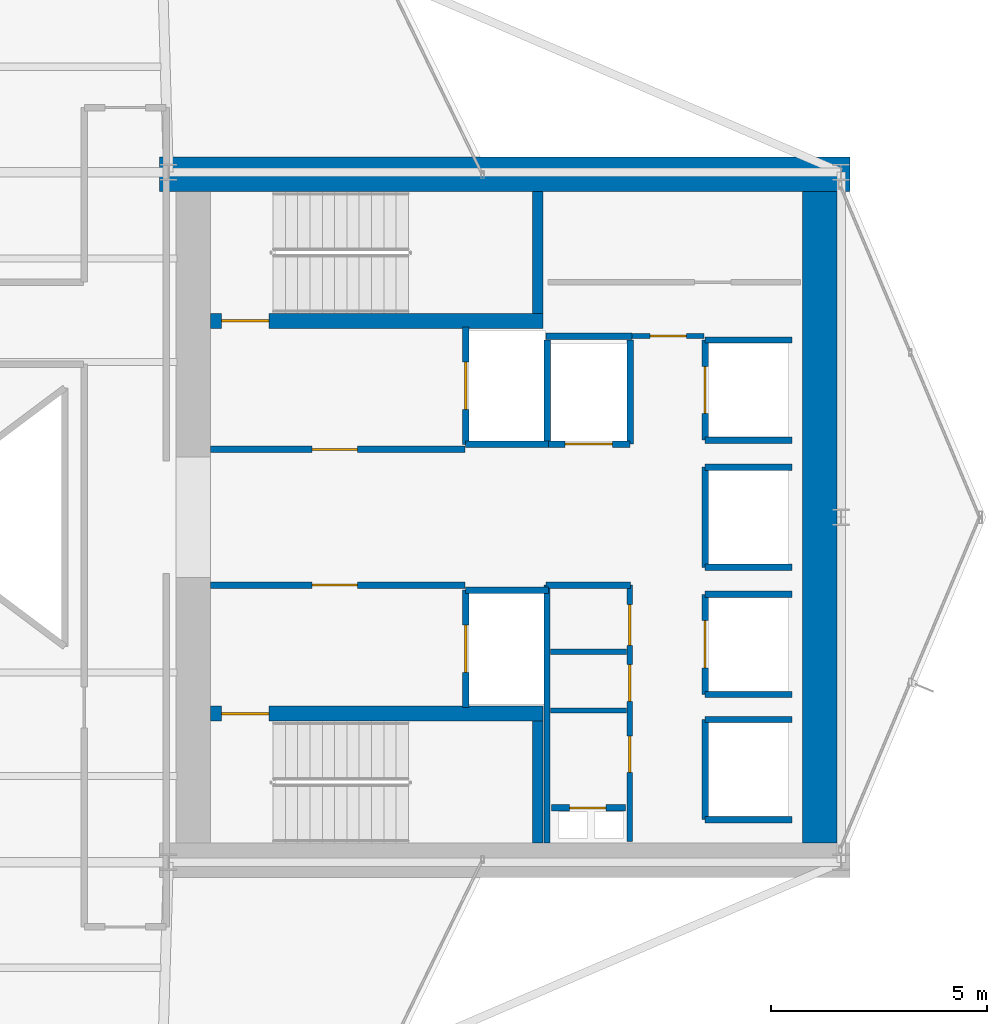
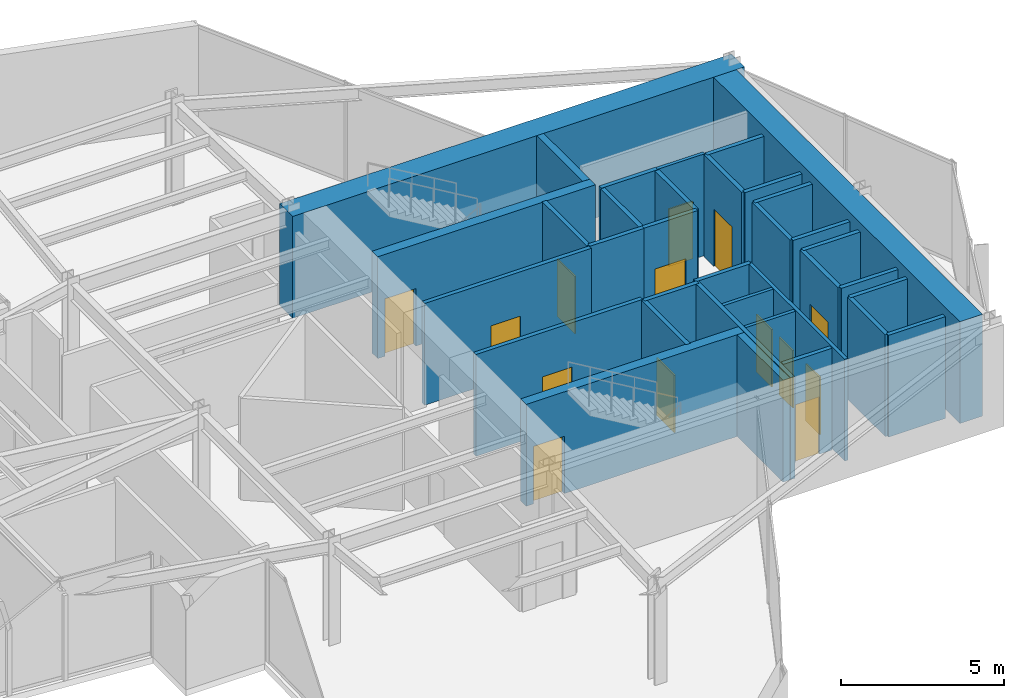
# One storey, part 23 of 25: 35 walls, 14 doors, 14 openings.
"""IFC4 building model written with IfcOpenShell, lengths in metres."""

from ifc_helpers import new_model, si_unit, direction, frame, frame_2d, origin, place, context, subcontext, project, spatial, rectangle, extrude, material, layer, layer_set, type_object, element, fill, save


model = new_model("IFC4")

# Units and contexts
model_context = context("Model", 3, precision=1e-05, world=origin(), true_north=direction((0.0, 1.0)))
body_context = subcontext(model_context, "Body", "Model", "MODEL_VIEW")
ifc_project = project(units=[si_unit("LENGTHUNIT", "METRE"), si_unit("AREAUNIT", "SQUARE_METRE"), si_unit("VOLUMEUNIT", "CUBIC_METRE"), si_unit("PLANEANGLEUNIT", "RADIAN"), si_unit("MASSUNIT", "GRAM", prefix="KILO")], contexts=[model_context])

# Site, building, storey
site_placement = place(None, origin())
site = spatial("IfcSite", under=ifc_project, at=site_placement, CompositionType="ELEMENT")
building_placement = place(site_placement, origin())
building = spatial("IfcBuilding", under=site, at=building_placement, Name="Veymaron Broadcast Tower", CompositionType="ELEMENT")
storey_placement = place(building_placement, frame((0.0, 0.0, 120.89990234375)))
storey = spatial("IfcBuildingStorey", under=building, at=storey_placement, Name="L27", CompositionType="ELEMENT", Elevation=120.89990234375)

# Wall, opening, door
ifc_material_1 = material(Name="Gypsum fireboard and steel stud framing", Category="steel")
ifc_layer_1 = layer(ifc_material_1, 0.14990234375)
ifc_layer_set_1 = layer_set([ifc_layer_1], Name="Gypsum fireboard and steel stud framing")
wall_type_1 = type_object("IfcWallType", Name="WALL-FIRE-150", PredefinedType="PARTITIONING", material=ifc_layer_set_1)
wall_1_placement = place(storey_placement, frame((39.97998046875, 25.574951171875, 0.0), z_axis=(0.0, 0.0, 1.0), x_axis=(1.0, 0.0, 0.0)))
wall_1 = element("IfcWall", 1, at=wall_1_placement, inside=storey, type_object=wall_type_1, Name="L27 partition IW-L27-FFLN-S", PredefinedType="PARTITIONING", context=body_context, shape_type="SweptSolid", body=[
    extrude(rectangle(XDim=5.89990234375, YDim=0.14990234375, at=frame_2d((2.949951171875, 0.0))), origin(), (0.0, 0.0, 1.0), 3.81005859375),
])
opening_1_placement = place(wall_1_placement, frame((2.35009765625, 0.0, 0.0)))
opening_1 = element("IfcOpeningElement", 2, at=opening_1_placement, cuts=wall_1, Name="Opening ID-FL1", PredefinedType="OPENING", context=body_context, shape_type="SweptSolid", body=[
    extrude(rectangle(XDim=1.050048828125, YDim=2.14990234375, at=frame_2d((0.52490234375, 1.074951171875))), frame((0.0, 0.0849609375, 0.0), z_axis=(0.0, -1.0, 0.0), x_axis=(1.0, 0.0, 0.0)), (0.0, 0.0, 1.0), 0.169921875),
])
ifc_material_2 = material(Name="Fire-rated painted hollow steel ASTM A653", Category="steel")
door_type_1 = type_object("IfcDoorType", Name="DOOR-FIRE-1050", OperationType="NOTDEFINED", PredefinedType="DOOR", material=ifc_material_2)
door_1_placement = place(opening_1_placement, origin())
door_1 = element("IfcDoor", 3, at=door_1_placement, inside=storey, type_object=door_type_1, Name="L27 door DR-L27-FFLN", OperationType="SINGLE_SWING_LEFT", OverallHeight=2.14990234375, OverallWidth=1.050048828125, PredefinedType="DOOR", context=body_context, shape_type="SweptSolid", body=[
    extrude(rectangle(XDim=1.050048828125, YDim=2.14990234375, at=frame_2d((0.52490234375, 1.074951171875))), frame((0.0, 0.02490234375, 0.0), z_axis=(0.0, -1.0, 0.0), x_axis=(1.0, 0.0, 0.0)), (0.0, 0.0, 1.0), 0.050048828125),
])
fill(opening_1, door_1)

wall_2_placement = place(storey_placement, frame((39.97998046875, 22.425048828125, 0.0), z_axis=(0.0, 0.0, 1.0), x_axis=(1.0, 0.0, 0.0)))
wall_2 = element("IfcWall", 4, at=wall_2_placement, inside=storey, type_object=wall_type_1, Name="L27 partition IW-L27-FFLS-N", PredefinedType="PARTITIONING", context=body_context, shape_type="SweptSolid", body=[
    extrude(rectangle(XDim=5.89990234375, YDim=0.14990234375, at=frame_2d((2.949951171875, 0.0))), origin(), (0.0, 0.0, 1.0), 3.81005859375),
])
opening_2_placement = place(wall_2_placement, frame((2.35009765625, 0.0, 0.0)))
opening_2 = element("IfcOpeningElement", 5, at=opening_2_placement, cuts=wall_2, Name="Opening ID-FL1", PredefinedType="OPENING", context=body_context, shape_type="SweptSolid", body=[
    extrude(rectangle(XDim=1.050048828125, YDim=2.14990234375, at=frame_2d((0.52490234375, 1.074951171875))), frame((0.0, 0.0849609375, 0.0), z_axis=(0.0, -1.0, 0.0), x_axis=(1.0, 0.0, 0.0)), (0.0, 0.0, 1.0), 0.169921875),
])
door_2_placement = place(opening_2_placement, frame((1.050048828125, 0.0, 0.0), z_axis=(0.0, 0.0, 1.0), x_axis=(-1.0, 0.0, 0.0)))
door_2 = element("IfcDoor", 6, at=door_2_placement, inside=storey, type_object=door_type_1, Name="L27 door DR-L27-FFLS", OperationType="SINGLE_SWING_RIGHT", OverallHeight=2.14990234375, OverallWidth=1.050048828125, PredefinedType="DOOR", context=body_context, shape_type="SweptSolid", body=[
    extrude(rectangle(XDim=1.050048828125, YDim=2.14990234375, at=frame_2d((0.52490234375, 1.074951171875))), frame((0.0, 0.02490234375, 0.0), z_axis=(0.0, -1.0, 0.0), x_axis=(1.0, 0.0, 0.0)), (0.0, 0.0, 1.0), 0.050048828125),
])
fill(opening_2, door_2)

wall_3_placement = place(storey_placement, frame((45.89501953125, 25.68994140625, 0.0), z_axis=(0.0, 0.0, 1.0), x_axis=(0.0, 1.0, 0.0)))
wall_3 = element("IfcWall", 7, at=wall_3_placement, inside=storey, type_object=wall_type_1, Name="L27 partition IW-L27-SHW-FFL-1", PredefinedType="PARTITIONING", context=body_context, shape_type="SweptSolid", body=[
    extrude(rectangle(XDim=2.719970703125, YDim=0.14990234375, at=frame_2d((1.35986328125, 0.0))), origin(), (0.0, 0.0, 1.0), 3.81005859375),
])
opening_3_placement = place(wall_3_placement, frame((0.81005859375, 0.0, 0.0)))
opening_3 = element("IfcOpeningElement", 8, at=opening_3_placement, cuts=wall_3, Name="Opening LD", PredefinedType="OPENING", context=body_context, shape_type="SweptSolid", body=[
    extrude(rectangle(XDim=1.10009765625, YDim=2.14990234375, at=frame_2d((0.550048828125, 1.074951171875))), frame((0.0, 0.0849609375, 0.0), z_axis=(0.0, -1.0, 0.0), x_axis=(1.0, 0.0, 0.0)), (0.0, 0.0, 1.0), 0.169921875),
])
ifc_material_3 = material(Name="Brushed stainless steel AISI 304", Category="steel")
door_type_2 = type_object("IfcDoorType", Name="DOOR-LIFT-1100", OperationType="DOUBLE_DOOR_SLIDING", PredefinedType="DOOR", material=ifc_material_3)
door_3_placement = place(opening_3_placement, frame((1.10009765625, 0.0, 0.0), z_axis=(0.0, 0.0, 1.0), x_axis=(-1.0, 0.0, 0.0)))
door_3 = element("IfcDoor", 9, at=door_3_placement, inside=storey, type_object=door_type_2, Name="L27 door LD-L27-FFL-1", OperationType="DOUBLE_DOOR_SLIDING", OverallHeight=2.14990234375, OverallWidth=1.10009765625, PredefinedType="DOOR", context=body_context, shape_type="SweptSolid", body=[
    extrude(rectangle(XDim=1.10009765625, YDim=2.14990234375, at=frame_2d((0.550048828125, 1.074951171875))), frame((0.0, 0.02490234375, 0.0), z_axis=(0.0, -1.0, 0.0), x_axis=(1.0, 0.0, 0.0)), (0.0, 0.0, 1.0), 0.050048828125),
])
fill(opening_3, door_3)

# Wall
wall_4_placement = place(storey_placement, frame((45.89501953125, 25.68994140625, 0.0), z_axis=(0.0, 0.0, 1.0), x_axis=(1.0, 0.0, 0.0)))
element("IfcWall", 10, at=wall_4_placement, inside=storey, type_object=wall_type_1, Name="L27 partition IW-L27-SHS-FFL-1", PredefinedType="PARTITIONING", context=body_context, shape_type="SweptSolid", body=[
    extrude(rectangle(XDim=1.9150390625, YDim=0.14990234375, at=frame_2d((0.95751953125, 0.0))), origin(), (0.0, 0.0, 1.0), 3.81005859375),
])

# Wall, opening, door
wall_5_placement = place(storey_placement, frame((45.89501953125, 19.590087890625, 0.0), z_axis=(0.0, 0.0, 1.0), x_axis=(0.0, 1.0, 0.0)))
wall_5 = element("IfcWall", 11, at=wall_5_placement, inside=storey, type_object=wall_type_1, Name="L27 partition IW-L27-SHW-FFL-2", PredefinedType="PARTITIONING", context=body_context, shape_type="SweptSolid", body=[
    extrude(rectangle(XDim=2.719970703125, YDim=0.14990234375, at=frame_2d((1.35986328125, 0.0))), origin(), (0.0, 0.0, 1.0), 3.81005859375),
])
opening_4_placement = place(wall_5_placement, frame((0.81005859375, 0.0, 0.0)))
opening_4 = element("IfcOpeningElement", 12, at=opening_4_placement, cuts=wall_5, Name="Opening LD", PredefinedType="OPENING", context=body_context, shape_type="SweptSolid", body=[
    extrude(rectangle(XDim=1.10009765625, YDim=2.14990234375, at=frame_2d((0.550048828125, 1.074951171875))), frame((0.0, 0.0849609375, 0.0), z_axis=(0.0, -1.0, 0.0), x_axis=(1.0, 0.0, 0.0)), (0.0, 0.0, 1.0), 0.169921875),
])
door_4_placement = place(opening_4_placement, frame((1.10009765625, 0.0, 0.0), z_axis=(0.0, 0.0, 1.0), x_axis=(-1.0, 0.0, 0.0)))
door_4 = element("IfcDoor", 13, at=door_4_placement, inside=storey, type_object=door_type_2, Name="L27 door LD-L27-FFL-2", OperationType="DOUBLE_DOOR_SLIDING", OverallHeight=2.14990234375, OverallWidth=1.10009765625, PredefinedType="DOOR", context=body_context, shape_type="SweptSolid", body=[
    extrude(rectangle(XDim=1.10009765625, YDim=2.14990234375, at=frame_2d((0.550048828125, 1.074951171875))), frame((0.0, 0.02490234375, 0.0), z_axis=(0.0, -1.0, 0.0), x_axis=(1.0, 0.0, 0.0)), (0.0, 0.0, 1.0), 0.050048828125),
])
fill(opening_4, door_4)

# Wall
wall_6_placement = place(storey_placement, frame((45.89501953125, 22.31005859375, 0.0), z_axis=(0.0, 0.0, 1.0), x_axis=(1.0, 0.0, 0.0)))
element("IfcWall", 14, at=wall_6_placement, inside=storey, type_object=wall_type_1, Name="L27 partition IW-L27-SHN-FFL-2", PredefinedType="PARTITIONING", context=body_context, shape_type="SweptSolid", body=[
    extrude(rectangle(XDim=1.9150390625, YDim=0.14990234375, at=frame_2d((0.95751953125, 0.0))), origin(), (0.0, 0.0, 1.0), 3.81005859375),
])

# Wall, opening, door
wall_7_placement = place(storey_placement, frame((47.7900390625, 25.695068359375, 0.0), z_axis=(0.0, 0.0, 1.0), x_axis=(1.0, 0.0, 0.0)))
wall_7 = element("IfcWall", 15, at=wall_7_placement, inside=storey, type_object=wall_type_1, Name="L27 partition IW-L27-SHS-SL-1", PredefinedType="PARTITIONING", context=body_context, shape_type="SweptSolid", body=[
    extrude(rectangle(XDim=1.919921875, YDim=0.14990234375, at=frame_2d((0.9599609375, 0.0))), origin(), (0.0, 0.0, 1.0), 3.81005859375),
])
opening_5_placement = place(wall_7_placement, frame((0.409912109375, 0.0, 0.0)))
opening_5 = element("IfcOpeningElement", 16, at=opening_5_placement, cuts=wall_7, Name="Opening LD", PredefinedType="OPENING", context=body_context, shape_type="SweptSolid", body=[
    extrude(rectangle(XDim=1.10009765625, YDim=2.14990234375, at=frame_2d((0.550048828125, 1.074951171875))), frame((0.0, 0.0849609375, 0.0), z_axis=(0.0, -1.0, 0.0), x_axis=(1.0, 0.0, 0.0)), (0.0, 0.0, 1.0), 0.169921875),
])
door_5_placement = place(opening_5_placement, frame((1.10009765625, 0.0, 0.0), z_axis=(0.0, 0.0, 1.0), x_axis=(-1.0, 0.0, 0.0)))
door_5 = element("IfcDoor", 17, at=door_5_placement, inside=storey, type_object=door_type_2, Name="L27 door LD-L27-SL-1", OperationType="DOUBLE_DOOR_SLIDING", OverallHeight=2.14990234375, OverallWidth=1.10009765625, PredefinedType="DOOR", context=body_context, shape_type="SweptSolid", body=[
    extrude(rectangle(XDim=1.10009765625, YDim=2.14990234375, at=frame_2d((0.550048828125, 1.074951171875))), frame((0.0, 0.02490234375, 0.0), z_axis=(0.0, -1.0, 0.0), x_axis=(1.0, 0.0, 0.0)), (0.0, 0.0, 1.0), 0.050048828125),
])
fill(opening_5, door_5)

# Walls
for number, where, z_axis, x_axis, name in (
    (18, (47.7900390625, 25.695068359375, 0.0), (0.0, 0.0, 1.0), (0.0, 1.0, 0.0), "L27 partition IW-L27-SHW-SL-1"),
    (19, (49.7099609375, 25.695068359375, 0.0), (0.0, 0.0, 1.0), (0.0, 1.0, 0.0), "L27 partition IW-L27-SHE-SL-1"),
):
    element("IfcWall", number, at=place(storey_placement, frame(where, z_axis=z_axis, x_axis=x_axis)), inside=storey, type_object=wall_type_1, Name=name, PredefinedType="PARTITIONING", context=body_context, shape_type="SweptSolid", body=[
        extrude(rectangle(XDim=2.4150390625, YDim=0.14990234375, at=frame_2d((1.20751953125, 0.0))), origin(), (0.0, 0.0, 1.0), 3.81005859375),
    ])

# Wall, opening, door
wall_8_placement = place(storey_placement, frame((51.445068359375, 25.7900390625, 0.0), z_axis=(0.0, 0.0, 1.0), x_axis=(0.0, 1.0, 0.0)))
wall_8 = element("IfcWall", 20, at=wall_8_placement, inside=storey, type_object=wall_type_1, Name="L27 partition IW-L27-SHW-PM1", PredefinedType="PARTITIONING", context=body_context, shape_type="SweptSolid", body=[
    extrude(rectangle(XDim=2.320068359375, YDim=0.14990234375, at=frame_2d((1.16015625, 0.0))), origin(), (0.0, 0.0, 1.0), 3.81005859375),
])
opening_6_placement = place(wall_8_placement, frame((0.610107421875, 0.0, 0.0)))
opening_6 = element("IfcOpeningElement", 21, at=opening_6_placement, cuts=wall_8, Name="Opening LD", PredefinedType="OPENING", context=body_context, shape_type="SweptSolid", body=[
    extrude(rectangle(XDim=1.10009765625, YDim=2.14990234375, at=frame_2d((0.550048828125, 1.074951171875))), frame((0.0, 0.0849609375, 0.0), z_axis=(0.0, -1.0, 0.0), x_axis=(1.0, 0.0, 0.0)), (0.0, 0.0, 1.0), 0.169921875),
])
door_6_placement = place(opening_6_placement, frame((1.10009765625, 0.0, 0.0), z_axis=(0.0, 0.0, 1.0), x_axis=(-1.0, 0.0, 0.0)))
door_6 = element("IfcDoor", 22, at=door_6_placement, inside=storey, type_object=door_type_2, Name="L27 door LD-L27-PM1", OperationType="DOUBLE_DOOR_SLIDING", OverallHeight=2.14990234375, OverallWidth=1.10009765625, PredefinedType="DOOR", context=body_context, shape_type="SweptSolid", body=[
    extrude(rectangle(XDim=1.10009765625, YDim=2.14990234375, at=frame_2d((0.550048828125, 1.074951171875))), frame((0.0, 0.02490234375, 0.0), z_axis=(0.0, -1.0, 0.0), x_axis=(1.0, 0.0, 0.0)), (0.0, 0.0, 1.0), 0.050048828125),
])
fill(opening_6, door_6)

# Walls
for number, where, z_axis, x_axis, name in (
    (23, (51.445068359375, 25.7900390625, 0.0), (0.0, 0.0, 1.0), (1.0, 0.0, 0.0), "L27 partition IW-L27-SHS-PM1"),
    (24, (51.445068359375, 28.110107421875, 0.0), (0.0, 0.0, 1.0), (1.0, 0.0, 0.0), "L27 partition IW-L27-SHN-PM1"),
):
    element("IfcWall", number, at=place(storey_placement, frame(where, z_axis=z_axis, x_axis=x_axis)), inside=storey, type_object=wall_type_1, Name=name, PredefinedType="PARTITIONING", context=body_context, shape_type="SweptSolid", body=[
        extrude(rectangle(XDim=2.014892578125, YDim=0.14990234375, at=frame_2d((1.00732421875, 0.0))), origin(), (0.0, 0.0, 1.0), 3.81005859375),
    ])

# Wall, opening, door
wall_9_placement = place(storey_placement, frame((51.445068359375, 19.889892578125, 0.0), z_axis=(0.0, 0.0, 1.0), x_axis=(0.0, 1.0, 0.0)))
wall_9 = element("IfcWall", 25, at=wall_9_placement, inside=storey, type_object=wall_type_1, Name="L27 partition IW-L27-SHW-PM2", PredefinedType="PARTITIONING", context=body_context, shape_type="SweptSolid", body=[
    extrude(rectangle(XDim=2.320068359375, YDim=0.14990234375, at=frame_2d((1.16015625, 0.0))), origin(), (0.0, 0.0, 1.0), 3.81005859375),
])
opening_7_placement = place(wall_9_placement, frame((0.610107421875, 0.0, 0.0)))
opening_7 = element("IfcOpeningElement", 26, at=opening_7_placement, cuts=wall_9, Name="Opening LD", PredefinedType="OPENING", context=body_context, shape_type="SweptSolid", body=[
    extrude(rectangle(XDim=1.10009765625, YDim=2.14990234375, at=frame_2d((0.550048828125, 1.074951171875))), frame((0.0, 0.0849609375, 0.0), z_axis=(0.0, -1.0, 0.0), x_axis=(1.0, 0.0, 0.0)), (0.0, 0.0, 1.0), 0.169921875),
])
door_7_placement = place(opening_7_placement, frame((1.10009765625, 0.0, 0.0), z_axis=(0.0, 0.0, 1.0), x_axis=(-1.0, 0.0, 0.0)))
door_7 = element("IfcDoor", 27, at=door_7_placement, inside=storey, type_object=door_type_2, Name="L27 door LD-L27-PM2", OperationType="DOUBLE_DOOR_SLIDING", OverallHeight=2.14990234375, OverallWidth=1.10009765625, PredefinedType="DOOR", context=body_context, shape_type="SweptSolid", body=[
    extrude(rectangle(XDim=1.10009765625, YDim=2.14990234375, at=frame_2d((0.550048828125, 1.074951171875))), frame((0.0, 0.02490234375, 0.0), z_axis=(0.0, -1.0, 0.0), x_axis=(1.0, 0.0, 0.0)), (0.0, 0.0, 1.0), 0.050048828125),
])
fill(opening_7, door_7)

# Walls
for number, where, z_axis, x_axis, name in (
    (28, (51.445068359375, 19.889892578125, 0.0), (0.0, 0.0, 1.0), (1.0, 0.0, 0.0), "L27 partition IW-L27-SHS-PM2"),
    (29, (51.445068359375, 22.2099609375, 0.0), (0.0, 0.0, 1.0), (1.0, 0.0, 0.0), "L27 partition IW-L27-SHN-PM2"),
):
    element("IfcWall", number, at=place(storey_placement, frame(where, z_axis=z_axis, x_axis=x_axis)), inside=storey, type_object=wall_type_1, Name=name, PredefinedType="PARTITIONING", context=body_context, shape_type="SweptSolid", body=[
        extrude(rectangle(XDim=2.014892578125, YDim=0.14990234375, at=frame_2d((1.00732421875, 0.0))), origin(), (0.0, 0.0, 1.0), 3.81005859375),
    ])
wall_10_placement = place(storey_placement, frame((51.445068359375, 22.840087890625, 0.0), z_axis=(0.0, 0.0, 1.0), x_axis=(0.0, 1.0, 0.0)))
element("IfcWall", 30, at=wall_10_placement, inside=storey, type_object=wall_type_1, Name="L27 partition IW-L27-SHW-PM3", PredefinedType="PARTITIONING", context=body_context, shape_type="SweptSolid", body=[
    extrude(rectangle(XDim=2.31982421875, YDim=0.14990234375, at=frame_2d((1.159912109375, 0.0))), origin(), (0.0, 0.0, 1.0), 3.81005859375),
])
for number, where, z_axis, x_axis, name in (
    (31, (51.445068359375, 22.840087890625, 0.0), (0.0, 0.0, 1.0), (1.0, 0.0, 0.0), "L27 partition IW-L27-SHS-PM3"),
    (32, (51.445068359375, 25.159912109375, 0.0), (0.0, 0.0, 1.0), (1.0, 0.0, 0.0), "L27 partition IW-L27-SHN-PM3"),
):
    element("IfcWall", number, at=place(storey_placement, frame(where, z_axis=z_axis, x_axis=x_axis)), inside=storey, type_object=wall_type_1, Name=name, PredefinedType="PARTITIONING", context=body_context, shape_type="SweptSolid", body=[
        extrude(rectangle(XDim=2.014892578125, YDim=0.14990234375, at=frame_2d((1.00732421875, 0.0))), origin(), (0.0, 0.0, 1.0), 3.81005859375),
    ])
wall_11_placement = place(storey_placement, frame((51.445068359375, 16.989990234375, 0.0), z_axis=(0.0, 0.0, 1.0), x_axis=(0.0, 1.0, 0.0)))
element("IfcWall", 33, at=wall_11_placement, inside=storey, type_object=wall_type_1, Name="L27 partition IW-L27-SHW-PH1", PredefinedType="PARTITIONING", context=body_context, shape_type="SweptSolid", body=[
    extrude(rectangle(XDim=2.320068359375, YDim=0.14990234375, at=frame_2d((1.16015625, 0.0))), origin(), (0.0, 0.0, 1.0), 3.81005859375),
])
for number, where, z_axis, x_axis, name in (
    (34, (51.445068359375, 16.989990234375, 0.0), (0.0, 0.0, 1.0), (1.0, 0.0, 0.0), "L27 partition IW-L27-SHS-PH1"),
    (35, (51.445068359375, 19.31005859375, 0.0), (0.0, 0.0, 1.0), (1.0, 0.0, 0.0), "L27 partition IW-L27-SHN-PH1"),
):
    element("IfcWall", number, at=place(storey_placement, frame(where, z_axis=z_axis, x_axis=x_axis)), inside=storey, type_object=wall_type_1, Name=name, PredefinedType="PARTITIONING", context=body_context, shape_type="SweptSolid", body=[
        extrude(rectangle(XDim=2.014892578125, YDim=0.14990234375, at=frame_2d((1.00732421875, 0.0))), origin(), (0.0, 0.0, 1.0), 3.81005859375),
    ])

# Wall, opening, door
wall_12_placement = place(storey_placement, frame((47.8798828125, 17.260009765625, 0.0), z_axis=(0.0, 0.0, 1.0), x_axis=(1.0, 0.0, 0.0)))
wall_12 = element("IfcWall", 36, at=wall_12_placement, inside=storey, type_object=wall_type_1, Name="L27 partition IW-L27-RIS-N", PredefinedType="PARTITIONING", context=body_context, shape_type="SweptSolid", body=[
    extrude(rectangle(XDim=1.72021484375, YDim=0.14990234375, at=frame_2d((0.860107421875, 0.0))), origin(), (0.0, 0.0, 1.0), 3.81005859375),
])
opening_8_placement = place(wall_12_placement, frame((0.419921875, 0.0, 0.0)))
opening_8 = element("IfcOpeningElement", 37, at=opening_8_placement, cuts=wall_12, Name="Opening ID-RS1", PredefinedType="OPENING", context=body_context, shape_type="SweptSolid", body=[
    extrude(rectangle(XDim=0.85009765625, YDim=2.14990234375, at=frame_2d((0.425048828125, 1.074951171875))), frame((0.0, 0.0849609375, 0.0), z_axis=(0.0, -1.0, 0.0), x_axis=(1.0, 0.0, 0.0)), (0.0, 0.0, 1.0), 0.169921875),
])
ifc_material_4 = material(Name="Fire-rated powder-coated steel riser leaf", Category="steel")
door_type_3 = type_object("IfcDoorType", Name="DOOR-RIS-850", OperationType="NOTDEFINED", PredefinedType="TRAPDOOR", material=ifc_material_4)
door_8_placement = place(opening_8_placement, origin())
door_8 = element("IfcDoor", 38, at=door_8_placement, inside=storey, type_object=door_type_3, Name="L27 door DR-L27-RIS", OperationType="SINGLE_SWING_LEFT", OverallHeight=2.14990234375, OverallWidth=0.85009765625, PredefinedType="TRAPDOOR", context=body_context, shape_type="SweptSolid", body=[
    extrude(rectangle(XDim=0.85009765625, YDim=2.14990234375, at=frame_2d((0.425048828125, 1.074951171875))), frame((0.0, 0.02490234375, 0.0), z_axis=(0.0, -1.0, 0.0), x_axis=(1.0, 0.0, 0.0)), (0.0, 0.0, 1.0), 0.050048828125),
])
fill(opening_8, door_8)

# Walls
wall_13_placement = place(storey_placement, frame((47.760009765625, 22.425048828125, 0.0), z_axis=(0.0, 0.0, 1.0), x_axis=(1.0, 0.0, 0.0)))
element("IfcWall", 39, at=wall_13_placement, inside=storey, type_object=wall_type_1, Name="L27 partition IW-L27-SM-N", PredefinedType="PARTITIONING", context=body_context, shape_type="SweptSolid", body=[
    extrude(rectangle(XDim=1.9599609375, YDim=0.14990234375, at=frame_2d((0.97998046875, 0.0))), origin(), (0.0, 0.0, 1.0), 3.81005859375),
])
wall_14_placement = place(storey_placement, frame((47.780029296875, 16.449951171875, 0.0), z_axis=(0.0, 0.0, 1.0), x_axis=(0.0, 1.0, 0.0)))
element("IfcWall", 40, at=wall_14_placement, inside=storey, type_object=wall_type_1, Name="L27 partition IW-L27-SM-W", PredefinedType="PARTITIONING", context=body_context, shape_type="SweptSolid", body=[
    extrude(rectangle(XDim=5.97509765625, YDim=0.14990234375, at=frame_2d((2.987548828125, 0.0))), origin(), (0.0, 0.0, 1.0), 3.81005859375),
])
wall_15_placement = place(storey_placement, frame((47.760009765625, 28.199951171875, 0.0), z_axis=(0.0, 0.0, 1.0), x_axis=(1.0, 0.0, 0.0)))
element("IfcWall", 41, at=wall_15_placement, inside=storey, type_object=wall_type_1, Name="L27 partition IW-L27-F1-SW", PredefinedType="PARTITIONING", context=body_context, shape_type="SweptSolid", body=[
    extrude(rectangle(XDim=1.989990234375, YDim=0.14990234375, at=frame_2d((0.9951171875, 0.0))), origin(), (0.0, 0.0, 1.0), 3.81005859375),
])
ifc_material_5 = material(Name="Acoustic gypsum board and galvanized stud", Category="gypsum")
ifc_layer_2 = layer(ifc_material_5, 0.1201171875)
ifc_layer_set_2 = layer_set([ifc_layer_2], Name="Acoustic gypsum board and galvanized stud")
wall_type_2 = type_object("IfcWallType", Name="WALL-PART-120", PredefinedType="PARTITIONING", material=ifc_layer_set_2)
for number, where, z_axis, x_axis, name in (
    (42, (47.860107421875, 19.52001953125, 0.0), (0.0, 0.0, 1.0), (1.0, 0.0, 0.0), "L27 partition IW-L27-SM-D1"),
    (43, (47.860107421875, 20.8798828125, 0.0), (0.0, 0.0, 1.0), (1.0, 0.0, 0.0), "L27 partition IW-L27-SM-D2"),
):
    element("IfcWall", number, at=place(storey_placement, frame(where, z_axis=z_axis, x_axis=x_axis)), inside=storey, type_object=wall_type_2, Name=name, PredefinedType="PARTITIONING", context=body_context, shape_type="SweptSolid", body=[
        extrude(rectangle(XDim=1.760009765625, YDim=0.1201171875, at=frame_2d((0.8798828125, 0.0))), origin(), (0.0, 0.0, 1.0), 3.81005859375),
    ])

# Wall, openings, doors
wall_16_placement = place(storey_placement, frame((49.699951171875, 16.47998046875, 0.0), z_axis=(0.0, 0.0, 1.0), x_axis=(0.0, 1.0, 0.0)))
wall_16 = element("IfcWall", 44, at=wall_16_placement, inside=storey, type_object=wall_type_2, Name="L27 partition IW-L27-SM-E", PredefinedType="PARTITIONING", context=body_context, shape_type="SweptSolid", body=[
    extrude(rectangle(XDim=5.945068359375, YDim=0.1201171875, at=frame_2d((2.97265625, 0.0))), origin(), (0.0, 0.0, 1.0), 3.81005859375),
])
opening_9_placement = place(wall_16_placement, frame((1.60009765625, 0.0, 0.0)))
opening_9 = element("IfcOpeningElement", 45, at=opening_9_placement, cuts=wall_16, Name="Opening ID-WC1", PredefinedType="OPENING", context=body_context, shape_type="SweptSolid", body=[
    extrude(rectangle(XDim=0.85009765625, YDim=2.14990234375, at=frame_2d((0.425048828125, 1.074951171875))), frame((0.0, 0.070068359375, 0.0), z_axis=(0.0, -1.0, 0.0), x_axis=(1.0, 0.0, 0.0)), (0.0, 0.0, 1.0), 0.14013671875),
])
opening_10_placement = place(wall_16_placement, frame((3.25, 0.0, 0.0)))
opening_10 = element("IfcOpeningElement", 46, at=opening_10_placement, cuts=wall_16, Name="Opening ID-WC1", PredefinedType="OPENING", context=body_context, shape_type="SweptSolid", body=[
    extrude(rectangle(XDim=0.85009765625, YDim=2.14990234375, at=frame_2d((0.425048828125, 1.074951171875))), frame((0.0, 0.070068359375, 0.0), z_axis=(0.0, -1.0, 0.0), x_axis=(1.0, 0.0, 0.0)), (0.0, 0.0, 1.0), 0.14013671875),
])
opening_11_placement = place(wall_16_placement, frame((4.550048828125, 0.0, 0.0)))
opening_11 = element("IfcOpeningElement", 47, at=opening_11_placement, cuts=wall_16, Name="Opening ID-RM1", PredefinedType="OPENING", context=body_context, shape_type="SweptSolid", body=[
    extrude(rectangle(XDim=0.949951171875, YDim=2.14990234375, at=frame_2d((0.47509765625, 1.074951171875))), frame((0.0, 0.070068359375, 0.0), z_axis=(0.0, -1.0, 0.0), x_axis=(1.0, 0.0, 0.0)), (0.0, 0.0, 1.0), 0.14013671875),
])
ifc_material_6 = material(Name="Moisture-resistant high-pressure laminate timber", Category="wood")
door_type_4 = type_object("IfcDoorType", Name="DOOR-INT-850", OperationType="NOTDEFINED", PredefinedType="DOOR", material=ifc_material_6)
door_9_placement = place(opening_9_placement, frame((0.85009765625, 0.0, 0.0), z_axis=(0.0, 0.0, 1.0), x_axis=(-1.0, 0.0, 0.0)))
door_9 = element("IfcDoor", 48, at=door_9_placement, inside=storey, type_object=door_type_4, Name="L27 door DR-L27-JST", OperationType="SINGLE_SWING_LEFT", OverallHeight=2.14990234375, OverallWidth=0.85009765625, PredefinedType="DOOR", context=body_context, shape_type="SweptSolid", body=[
    extrude(rectangle(XDim=0.85009765625, YDim=2.14990234375, at=frame_2d((0.425048828125, 1.074951171875))), frame((0.0, 0.02490234375, 0.0), z_axis=(0.0, -1.0, 0.0), x_axis=(1.0, 0.0, 0.0)), (0.0, 0.0, 1.0), 0.050048828125),
])
fill(opening_9, door_9)
door_10_placement = place(opening_10_placement, frame((0.85009765625, 0.0, 0.0), z_axis=(0.0, 0.0, 1.0), x_axis=(-1.0, 0.0, 0.0)))
door_10 = element("IfcDoor", 49, at=door_10_placement, inside=storey, type_object=door_type_4, Name="L27 door DR-L27-SWC", OperationType="SINGLE_SWING_RIGHT", OverallHeight=2.14990234375, OverallWidth=0.85009765625, PredefinedType="DOOR", context=body_context, shape_type="SweptSolid", body=[
    extrude(rectangle(XDim=0.85009765625, YDim=2.14990234375, at=frame_2d((0.425048828125, 1.074951171875))), frame((0.0, 0.02490234375, 0.0), z_axis=(0.0, -1.0, 0.0), x_axis=(1.0, 0.0, 0.0)), (0.0, 0.0, 1.0), 0.050048828125),
])
fill(opening_10, door_10)
ifc_material_7 = material(Name="Acoustic solid-core European oak veneer timber", Category="wood")
door_type_5 = type_object("IfcDoorType", Name="DOOR-INT-950", OperationType="NOTDEFINED", PredefinedType="DOOR", material=ifc_material_7)
door_11_placement = place(opening_11_placement, frame((0.949951171875, 0.0, 0.0), z_axis=(0.0, 0.0, 1.0), x_axis=(-1.0, 0.0, 0.0)))
door_11 = element("IfcDoor", 50, at=door_11_placement, inside=storey, type_object=door_type_5, Name="L27 door DR-L27-AWC", OperationType="SINGLE_SWING_LEFT", OverallHeight=2.14990234375, OverallWidth=0.949951171875, PredefinedType="DOOR", context=body_context, shape_type="SweptSolid", body=[
    extrude(rectangle(XDim=0.949951171875, YDim=2.14990234375, at=frame_2d((0.47509765625, 1.074951171875))), frame((0.0, 0.02490234375, 0.0), z_axis=(0.0, -1.0, 0.0), x_axis=(1.0, 0.0, 0.0)), (0.0, 0.0, 1.0), 0.050048828125),
])
fill(opening_11, door_11)

# Wall, opening, door
wall_17_placement = place(storey_placement, frame((49.75, 28.199951171875, 0.0), z_axis=(0.0, 0.0, 1.0), x_axis=(1.0, 0.0, 0.0)))
wall_17 = element("IfcWall", 51, at=wall_17_placement, inside=storey, type_object=wall_type_2, Name="L27 partition IW-L27-F1-S", PredefinedType="PARTITIONING", context=body_context, shape_type="SweptSolid", body=[
    extrude(rectangle(XDim=1.669921875, YDim=0.1201171875, at=frame_2d((0.8349609375, 0.0))), origin(), (0.0, 0.0, 1.0), 3.81005859375),
])
opening_12_placement = place(wall_17_placement, frame((0.419921875, 0.0, 0.0)))
opening_12 = element("IfcOpeningElement", 52, at=opening_12_placement, cuts=wall_17, Name="Opening ID-WC1", PredefinedType="OPENING", context=body_context, shape_type="SweptSolid", body=[
    extrude(rectangle(XDim=0.85009765625, YDim=2.14990234375, at=frame_2d((0.425048828125, 1.074951171875))), frame((0.0, 0.070068359375, 0.0), z_axis=(0.0, -1.0, 0.0), x_axis=(1.0, 0.0, 0.0)), (0.0, 0.0, 1.0), 0.14013671875),
])
door_12_placement = place(opening_12_placement, origin())
door_12 = element("IfcDoor", 53, at=door_12_placement, inside=storey, type_object=door_type_4, Name="L27 door DR-L27-F1A", OperationType="SINGLE_SWING_LEFT", OverallHeight=2.14990234375, OverallWidth=0.85009765625, PredefinedType="DOOR", context=body_context, shape_type="SweptSolid", body=[
    extrude(rectangle(XDim=0.85009765625, YDim=2.14990234375, at=frame_2d((0.425048828125, 1.074951171875))), frame((0.0, 0.02490234375, 0.0), z_axis=(0.0, -1.0, 0.0), x_axis=(1.0, 0.0, 0.0)), (0.0, 0.0, 1.0), 0.050048828125),
])
fill(opening_12, door_12)

# Walls
ifc_material_8 = material(Name="Concrete C50/60", Category="concrete")
ifc_layer_3 = layer(ifc_material_8, 0.25)
ifc_layer_set_3 = layer_set([ifc_layer_3], Name="Concrete C50/60")
wall_type_3 = type_object("IfcWallType", Name="WALL-SHEAR-250", PredefinedType="SHEAR", material=ifc_layer_set_3)
for number, where, z_axis, x_axis, name in (
    (54, (47.56494140625, 28.72998046875, 0.0), (0.0, 0.0, 1.0), (0.0, 1.0, 0.0), "L27 Core Wall north stair east shear"),
    (55, (47.56494140625, 16.449951171875, 0.0), (0.0, 0.0, 1.0), (0.0, 1.0, 0.0), "L27 Core Wall south stair east shear"),
):
    element("IfcWall", number, at=place(storey_placement, frame(where, z_axis=z_axis, x_axis=x_axis)), inside=storey, type_object=wall_type_3, Name=name, PredefinedType="SHEAR", context=body_context, shape_type="SweptSolid", body=[
        extrude(rectangle(XDim=2.820068359375, YDim=0.25, at=frame_2d((1.41015625, 0.0))), origin(), (0.0, 0.0, 1.0), 3.81005859375),
    ])

# Wall, opening, door
ifc_layer_4 = layer(ifc_material_8, 0.35009765625)
ifc_layer_set_4 = layer_set([ifc_layer_4], Name="Concrete C50/60")
wall_type_4 = type_object("IfcWallType", Name="WALL-SHEAR-350", PredefinedType="SHEAR", material=ifc_layer_set_4)
wall_18_placement = place(storey_placement, frame((39.97998046875, 28.554931640625, 0.0), z_axis=(0.0, 0.0, 1.0), x_axis=(1.0, 0.0, 0.0)))
wall_18 = element("IfcWall", 56, at=wall_18_placement, inside=storey, type_object=wall_type_4, Name="L27 Core Wall north stair spine", PredefinedType="SHEAR", context=body_context, shape_type="SweptSolid", body=[
    extrude(rectangle(XDim=7.7099609375, YDim=0.35009765625, at=frame_2d((3.85498046875, 0.0))), origin(), (0.0, 0.0, 1.0), 3.81005859375),
])
opening_13_placement = place(wall_18_placement, frame((0.25, 0.0, 0.0)))
opening_13 = element("IfcOpeningElement", 57, at=opening_13_placement, cuts=wall_18, Name="Opening ID-ST1", PredefinedType="OPENING", context=body_context, shape_type="SweptSolid", body=[
    extrude(rectangle(XDim=1.10009765625, YDim=2.14990234375, at=frame_2d((0.550048828125, 1.074951171875))), frame((0.0, 0.18505859375, 0.0), z_axis=(0.0, -1.0, 0.0), x_axis=(1.0, 0.0, 0.0)), (0.0, 0.0, 1.0), 0.3701171875),
])
door_type_6 = type_object("IfcDoorType", Name="DOOR-STAIR-1100", OperationType="NOTDEFINED", PredefinedType="DOOR", material=ifc_material_2)
door_13_placement = place(opening_13_placement, origin())
door_13 = element("IfcDoor", 58, at=door_13_placement, inside=storey, type_object=door_type_6, Name="L27 exit stair ST1 fire door", OperationType="SINGLE_SWING_RIGHT", OverallHeight=2.14990234375, OverallWidth=1.10009765625, PredefinedType="DOOR", context=body_context, shape_type="SweptSolid", body=[
    extrude(rectangle(XDim=1.10009765625, YDim=2.14990234375, at=frame_2d((0.550048828125, 1.074951171875))), frame((0.0, 0.02490234375, 0.0), z_axis=(0.0, -1.0, 0.0), x_axis=(1.0, 0.0, 0.0)), (0.0, 0.0, 1.0), 0.050048828125),
])
fill(opening_13, door_13)

wall_19_placement = place(storey_placement, frame((39.97998046875, 19.445068359375, 0.0), z_axis=(0.0, 0.0, 1.0), x_axis=(1.0, 0.0, 0.0)))
wall_19 = element("IfcWall", 59, at=wall_19_placement, inside=storey, type_object=wall_type_4, Name="L27 Core Wall south stair spine", PredefinedType="SHEAR", context=body_context, shape_type="SweptSolid", body=[
    extrude(rectangle(XDim=7.7099609375, YDim=0.35009765625, at=frame_2d((3.85498046875, 0.0))), origin(), (0.0, 0.0, 1.0), 3.81005859375),
])
opening_14_placement = place(wall_19_placement, frame((0.25, 0.0, 0.0)))
opening_14 = element("IfcOpeningElement", 60, at=opening_14_placement, cuts=wall_19, Name="Opening ID-ST1", PredefinedType="OPENING", context=body_context, shape_type="SweptSolid", body=[
    extrude(rectangle(XDim=1.10009765625, YDim=2.14990234375, at=frame_2d((0.550048828125, 1.074951171875))), frame((0.0, 0.18505859375, 0.0), z_axis=(0.0, -1.0, 0.0), x_axis=(1.0, 0.0, 0.0)), (0.0, 0.0, 1.0), 0.3701171875),
])
door_14_placement = place(opening_14_placement, frame((1.10009765625, 0.0, 0.0), z_axis=(0.0, 0.0, 1.0), x_axis=(-1.0, 0.0, 0.0)))
door_14 = element("IfcDoor", 61, at=door_14_placement, inside=storey, type_object=door_type_6, Name="L27 exit stair ST2 fire door", OperationType="SINGLE_SWING_LEFT", OverallHeight=2.14990234375, OverallWidth=1.10009765625, PredefinedType="DOOR", context=body_context, shape_type="SweptSolid", body=[
    extrude(rectangle(XDim=1.10009765625, YDim=2.14990234375, at=frame_2d((0.550048828125, 1.074951171875))), frame((0.0, 0.02490234375, 0.0), z_axis=(0.0, -1.0, 0.0), x_axis=(1.0, 0.0, 0.0)), (0.0, 0.0, 1.0), 0.050048828125),
])
fill(opening_14, door_14)

# Walls
ifc_material_9 = material(Name="Concrete C60/75", Category="concrete")
ifc_layer_5 = layer(ifc_material_9, 0.800048828125)
ifc_layer_set_5 = layer_set([ifc_layer_5], Name="Concrete C60/75")
wall_type_5 = type_object("IfcWallType", Name="WALL-SHEAR-800", PredefinedType="SHEAR", material=ifc_layer_set_5)
wall_20_placement = place(storey_placement, frame((38.800048828125, 31.949951171875, 0.0), z_axis=(0.0, 0.0, 1.0), x_axis=(1.0, 0.0, 0.0)))
element("IfcWall", 62, at=wall_20_placement, inside=storey, type_object=wall_type_5, Name="L27 Core Wall north shear", PredefinedType="SHEAR", context=body_context, shape_type="SweptSolid", body=[
    extrude(rectangle(XDim=16.0, YDim=0.800048828125, at=frame_2d((8.0, 0.0))), origin(), (0.0, 0.0, 1.0), 3.81005859375),
])
wall_21_placement = place(storey_placement, frame((54.10009765625, 16.449951171875, 0.0), z_axis=(0.0, 0.0, 1.0), x_axis=(0.0, 1.0, 0.0)))
element("IfcWall", 63, at=wall_21_placement, inside=storey, type_object=wall_type_5, Name="L27 Core Wall east shear", PredefinedType="SHEAR", context=body_context, shape_type="SweptSolid", body=[
    extrude(rectangle(XDim=15.10009765625, YDim=0.800048828125, at=frame_2d((7.550048828125, 0.0))), origin(), (0.0, 0.0, 1.0), 3.81005859375),
])

save(model, "model.ifc")
